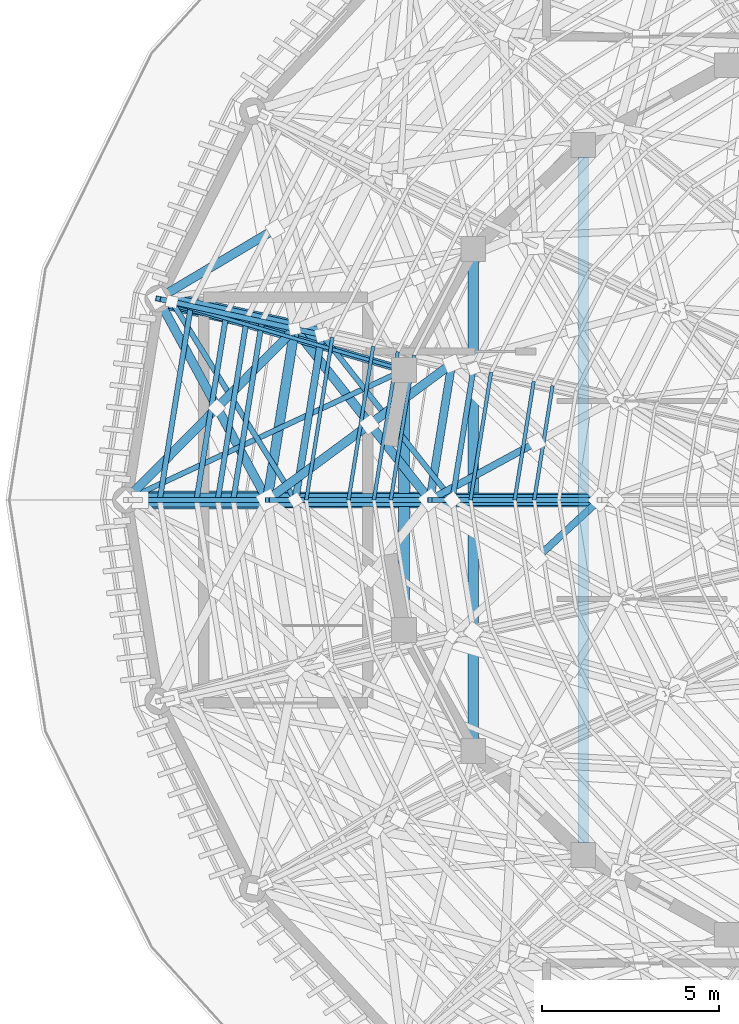
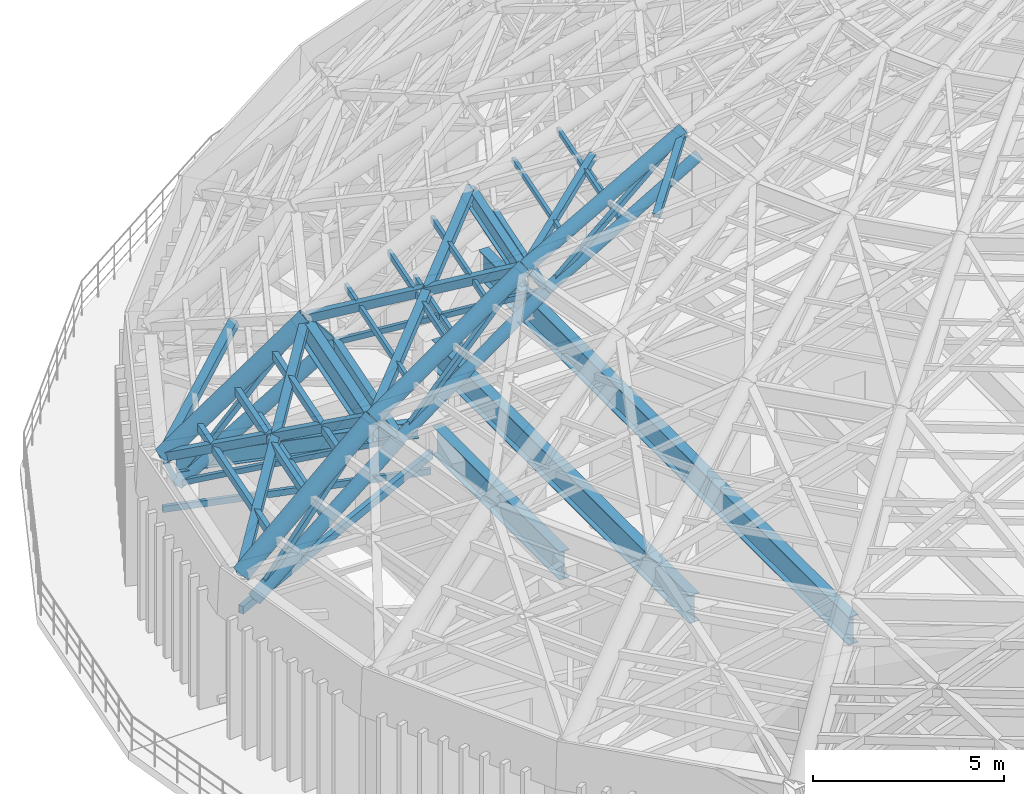
# One storey, part 7 of 50: 42 members, 6 beams.
"""IFC4 building model written with IfcOpenShell, lengths in metres."""

from ifc_helpers import new_model, si_unit, direction, frame, origin, origin_2d, place, context, subcontext, project, spatial, hollow_rectangle, hollow_circle, i_section, extrude, material, material_profile, profile_set, type_object, element, save


model = new_model("IFC4")

# Units and contexts
model_context = context("Model", 3, precision=1e-05, world=origin(), true_north=direction((0.0, 1.0)))
body_context = subcontext(model_context, "Body", "Model", "MODEL_VIEW")
ifc_project = project(units=[si_unit("LENGTHUNIT", "METRE"), si_unit("AREAUNIT", "SQUARE_METRE"), si_unit("VOLUMEUNIT", "CUBIC_METRE"), si_unit("PLANEANGLEUNIT", "RADIAN"), si_unit("MASSUNIT", "GRAM", prefix="KILO")], contexts=[model_context])

# Site, building, storey
site_placement = place(None, origin())
site = spatial("IfcSite", under=ifc_project, at=site_placement, CompositionType="ELEMENT")
building_placement = place(site_placement, origin())
building = spatial("IfcBuilding", under=site, at=building_placement, Name="Cinderbank Siding Concert Hall", CompositionType="ELEMENT")
storey_placement = place(building_placement, frame((0.0, 0.0, 23.699951171875)))
storey = spatial("IfcBuildingStorey", under=building, at=storey_placement, Name="L06", CompositionType="ELEMENT", Elevation=23.699951171875)

# Beams
ifc_material_1 = material(Name="Structural steel AS/NZS 3679.1 Grade 350 (340 MPa)", Category="steel")
ifc_material_profile_1 = material_profile(ifc_material_1, i_section(OverallWidth=0.208984375, OverallDepth=0.532958984375, WebThickness=0.01025390625, FlangeThickness=0.015625, at=origin_2d()), Name="530UB92.4", Category="LoadBearing")
ifc_profile_set_1 = profile_set([ifc_material_profile_1], Name="Structural steel AS/NZS 3679.1 Grade 350 (340 MPa)")
beam_type_1 = type_object("IfcBeamType", Name="BM-UB530H 530UB92.4", PredefinedType="BEAM", material=ifc_profile_set_1)
beam_1_placement = place(storey_placement, frame((102.739501953125, 47.7705078125, 4.235595703125), z_axis=(-0.960350422934, 0.278795740946, 0.0), x_axis=(-0.278795740946, -0.960350422934, 0.0)))
element("IfcBeam", 1, at=beam_1_placement, inside=storey, type_object=beam_type_1, Name="L06 Beam BM-UB530H #845", PredefinedType="BEAM", context=body_context, shape_type="SweptSolid", body=[
    extrude(i_section(OverallWidth=0.208984375, OverallDepth=0.532958984375, WebThickness=0.01025390625, FlangeThickness=0.015625, at=origin_2d()), origin(), (0.0, 0.0, 1.0), 6.53271484375),
])
ifc_material_profile_2 = material_profile(ifc_material_1, i_section(OverallWidth=0.22900390625, OverallDepth=0.611572265625, WebThickness=0.011962890625, FlangeThickness=0.01953125, at=origin_2d()), Name="610UB125", Category="LoadBearing")
ifc_profile_set_2 = profile_set([ifc_material_profile_2], Name="Structural steel AS/NZS 3679.1 Grade 350 (340 MPa)")
beam_type_2 = type_object("IfcBeamType", Name="BM-UB610H 610UB125", PredefinedType="BEAM", material=ifc_profile_set_2)
beam_2_placement = place(storey_placement, frame((104.420166015625, 47.8564453125, 10.994140625), z_axis=(-0.158760786177, -0.987317078133, 0.0), x_axis=(0.987317078133, -0.158760786177, 0.0)))
element("IfcBeam", 2, at=beam_2_placement, inside=storey, type_object=beam_type_2, Name="L06 Beam BM-UB610H #2063", PredefinedType="BEAM", context=body_context, shape_type="SweptSolid", body=[
    extrude(i_section(OverallWidth=0.22900390625, OverallDepth=0.611572265625, WebThickness=0.011962890625, FlangeThickness=0.01953125, at=origin_2d()), origin(), (0.0, 0.0, 1.0), 3.906005859375),
])
ifc_material_2 = material(Name="Structural steel welded plate section AS/NZS 3679.2 / AS/NZS 3678 Grade 350 (340 MPa)", Category="steel")
ifc_material_profile_3 = material_profile(ifc_material_2, i_section(OverallWidth=0.27490234375, OverallDepth=0.800048828125, WebThickness=0.010009765625, FlangeThickness=0.01611328125, at=origin_2d()), Name="800WB146", Category="LoadBearing")
ifc_profile_set_3 = profile_set([ifc_material_profile_3], Name="Structural steel welded plate section AS/NZS 3679.2 / AS/NZS 3678 Grade 350 (340 MPa)")
beam_type_3 = type_object("IfcBeamType", Name="BM-WB800 800WB146", PredefinedType="BEAM", material=ifc_profile_set_3)
beam_3_placement = place(storey_placement, frame((99.976806640625, 48.83984375, 7.699951171875), z_axis=(-0.158483883063, -0.987361564377, 0.0), x_axis=(0.987361564377, -0.158483883063, 0.0)))
element("IfcBeam", 3, at=beam_3_placement, inside=storey, type_object=beam_type_3, Name="L06 Beam BM-WB800 #2044", PredefinedType="BEAM", context=body_context, shape_type="SweptSolid", body=[
    extrude(i_section(OverallWidth=0.27490234375, OverallDepth=0.800048828125, WebThickness=0.010009765625, FlangeThickness=0.01611328125, at=origin_2d()), origin(), (0.0, 0.0, 1.0), 4.90185546875),
])
ifc_material_profile_4 = material_profile(ifc_material_2, i_section(OverallWidth=0.300048828125, OverallDepth=0.89990234375, WebThickness=0.013916015625, FlangeThickness=0.02490234375, at=origin_2d()), Name="900WB218", Category="LoadBearing")
ifc_profile_set_4 = profile_set([ifc_material_profile_4], Name="Structural steel welded plate section AS/NZS 3679.2 / AS/NZS 3678 Grade 350 (340 MPa)")
beam_type_4 = type_object("IfcBeamType", Name="BM-WB900 900WB218", PredefinedType="BEAM", material=ifc_profile_set_4)
beam_4_placement = place(storey_placement, frame((108.140625, 53.698974609375, 4.052001953125), z_axis=(0.0, -1.0, 0.0), x_axis=(1.0, 0.0, 0.0)))
element("IfcBeam", 4, at=beam_4_placement, inside=storey, type_object=beam_type_4, Name="L06 Beam BM-WB900 #127", PredefinedType="BEAM", context=body_context, shape_type="SweptSolid", body=[
    extrude(i_section(OverallWidth=0.300048828125, OverallDepth=0.89990234375, WebThickness=0.013916015625, FlangeThickness=0.02490234375, at=origin_2d()), origin(), (0.0, 0.0, 1.0), 19.39794921875),
])
beam_5_placement = place(storey_placement, frame((105.02587890625, 50.758056640625, 4.052001953125), z_axis=(0.0, -1.0, 0.0), x_axis=(1.0, 0.0, 0.0)))
element("IfcBeam", 5, at=beam_5_placement, inside=storey, type_object=beam_type_4, Name="L06 Beam BM-WB900 #128", PredefinedType="BEAM", context=body_context, shape_type="SweptSolid", body=[
    extrude(i_section(OverallWidth=0.300048828125, OverallDepth=0.89990234375, WebThickness=0.013916015625, FlangeThickness=0.02490234375, at=origin_2d()), origin(), (0.0, 0.0, 1.0), 13.51611328125),
])
beam_6_placement = place(storey_placement, frame((103.06787109375, 47.333251953125, 4.052001953125), z_axis=(0.0, -1.0, 0.0), x_axis=(1.0, 0.0, 0.0)))
element("IfcBeam", 6, at=beam_6_placement, inside=storey, type_object=beam_type_4, Name="L06 Beam BM-WB900 #129", PredefinedType="BEAM", context=body_context, shape_type="SweptSolid", body=[
    extrude(i_section(OverallWidth=0.300048828125, OverallDepth=0.89990234375, WebThickness=0.013916015625, FlangeThickness=0.02490234375, at=origin_2d()), origin(), (0.0, 0.0, 1.0), 6.66650390625),
])

# Members
ifc_material_3 = material(Name="Structural steel hollow section AS/NZS 1163 Grade C350L0 (350 MPa)", Category="steel")
ifc_material_profile_5 = material_profile(ifc_material_3, hollow_rectangle(XDim=0.14990234375, YDim=0.14990234375, WallThickness=0.008056640625, at=origin_2d()), Name="150x150x8.0SHS", Category="LoadBearing")
ifc_profile_set_5 = profile_set([ifc_material_profile_5], Name="Structural steel hollow section AS/NZS 1163 Grade C350L0 (350 MPa)")
member_type_1 = type_object("IfcMemberType", Name="BR-SHS150 150x150x8.0SHS Roof Truss", PredefinedType="BRACE", material=ifc_profile_set_5)
member_1_placement = place(storey_placement, frame((96.50146484375, 49.608642578125, 3.550048828125), z_axis=(0.60159806167, -0.133082704334, 0.787634919237), x_axis=(0.215993483707, 0.97639480488, 0.0)))
element("IfcMember", 7, at=member_1_placement, inside=storey, type_object=member_type_1, Name="L06 Diagonal Brace BR-SHS150 #DWBD-BR-SHS150-L06-0662", PredefinedType="BRACE", context=body_context, shape_type="SweptSolid", body=[
    extrude(hollow_rectangle(XDim=0.14990234375, YDim=0.14990234375, WallThickness=0.008056640625, at=origin_2d()), origin(), (0.0, 0.0, 1.0), 5.77685546875),
])
member_2_placement = place(storey_placement, frame((96.50146484375, 49.608642578125, 3.550048828125), z_axis=(-0.37696695298, 0.082980146882, 0.922502147198), x_axis=(-0.214978955029, -0.976618681418, 0.0)))
element("IfcMember", 8, at=member_2_placement, inside=storey, type_object=member_type_1, Name="L06 Diagonal Brace BR-SHS150 #DWBV-BR-SHS150-L06-0665", PredefinedType="BRACE", context=body_context, shape_type="SweptSolid", body=[
    extrude(hollow_rectangle(XDim=0.14990234375, YDim=0.14990234375, WallThickness=0.008056640625, at=origin_2d()), origin(), (0.0, 0.0, 1.0), 1.02978515625),
])
member_3_placement = place(storey_placement, frame((96.50146484375, 49.608642578125, 3.550048828125), z_axis=(0.464588082783, -0.745215893435, 0.478342121821), x_axis=(0.848597499507, 0.529039019194, 0.0)))
element("IfcMember", 9, at=member_3_placement, inside=storey, type_object=member_type_1, Name="L06 Diagonal Brace BR-SHS150 #DBRI-BR-SHS150-L06-0671", PredefinedType="BRACE", context=body_context, shape_type="SweptSolid", body=[
    extrude(hollow_rectangle(XDim=0.14990234375, YDim=0.14990234375, WallThickness=0.008056640625, at=origin_2d()), origin(), (0.0, 0.0, 1.0), 7.526123046875),
])
member_4_placement = place(storey_placement, frame((95.60205078125, 44.0, 3.550048828125), z_axis=(0.620255458481, 0.0, 0.784399876482), x_axis=(0.0, 1.0, 0.0)))
element("IfcMember", 10, at=member_4_placement, inside=storey, type_object=member_type_1, Name="L06 Diagonal Brace BR-SHS150 #DWBD-BR-SHS150-L06-0674", PredefinedType="BRACE", context=body_context, shape_type="SweptSolid", body=[
    extrude(hollow_rectangle(XDim=0.14990234375, YDim=0.14990234375, WallThickness=0.008056640625, at=origin_2d()), origin(), (0.0, 0.0, 1.0), 5.80078125),
])
member_5_placement = place(storey_placement, frame((100.747802734375, 48.67041015625, 7.150146484375), z_axis=(-0.624221843528, 0.137178581193, 0.769109307526), x_axis=(-0.214637578428, -0.976693764661, 0.0)))
element("IfcMember", 11, at=member_5_placement, inside=storey, type_object=member_type_1, Name="L06 Diagonal Brace BR-SHS150 #DWBV-BR-SHS150-L06-0953", PredefinedType="BRACE", context=body_context, shape_type="SweptSolid", body=[
    extrude(hollow_rectangle(XDim=0.14990234375, YDim=0.14990234375, WallThickness=0.008056640625, at=origin_2d()), origin(), (0.0, 0.0, 1.0), 1.235107421875),
])
member_6_placement = place(storey_placement, frame((100.747802734375, 48.67041015625, 7.150146484375), z_axis=(0.54594959992, -0.691153189496, 0.473546516191), x_axis=(0.784715786367, 0.619855736947, 0.0)))
element("IfcMember", 12, at=member_6_placement, inside=storey, type_object=member_type_1, Name="L06 Diagonal Brace BR-SHS150 #DBRI-BR-SHS150-L06-0959", PredefinedType="BRACE", context=body_context, shape_type="SweptSolid", body=[
    extrude(hollow_rectangle(XDim=0.14990234375, YDim=0.14990234375, WallThickness=0.008056640625, at=origin_2d()), origin(), (0.0, 0.0, 1.0), 6.75732421875),
])
member_7_placement = place(storey_placement, frame((99.998046875, 44.0, 7.150146484375), z_axis=(0.675524246705, 0.0, 0.737337773421), x_axis=(0.0, 1.0, 0.0)))
element("IfcMember", 13, at=member_7_placement, inside=storey, type_object=member_type_1, Name="L06 Diagonal Brace BR-SHS150 #DWBD-BR-SHS150-L06-0962", PredefinedType="BRACE", context=body_context, shape_type="SweptSolid", body=[
    extrude(hollow_rectangle(XDim=0.14990234375, YDim=0.14990234375, WallThickness=0.008056640625, at=origin_2d()), origin(), (0.0, 0.0, 1.0), 5.628173828125),
])
member_8_placement = place(storey_placement, frame((99.998046875, 44.0, 7.150146484375), z_axis=(-0.643256691231, 0.0, 0.765650592102), x_axis=(0.0, -1.0, 0.0)))
element("IfcMember", 14, at=member_8_placement, inside=storey, type_object=member_type_1, Name="L06 Diagonal Brace BR-SHS150 #DWBV-BR-SHS150-L06-0965", PredefinedType="BRACE", context=body_context, shape_type="SweptSolid", body=[
    extrude(hollow_rectangle(XDim=0.14990234375, YDim=0.14990234375, WallThickness=0.008056640625, at=origin_2d()), origin(), (0.0, 0.0, 1.0), 1.24072265625),
])
member_9_placement = place(storey_placement, frame((104.43701171875, 44.0, 10.35009765625), z_axis=(0.751931668238, 0.0, 0.659241053258), x_axis=(0.0, 1.0, 0.0)))
element("IfcMember", 15, at=member_9_placement, inside=storey, type_object=member_type_1, Name="L06 Diagonal Brace BR-SHS150 #DWBD-BR-SHS150-L06-1250", PredefinedType="BRACE", context=body_context, shape_type="SweptSolid", body=[
    extrude(hollow_rectangle(XDim=0.14990234375, YDim=0.14990234375, WallThickness=0.008056640625, at=origin_2d()), origin(), (0.0, 0.0, 1.0), 5.53662109375),
])
member_10_placement = place(storey_placement, frame((104.43701171875, 44.0, 10.35009765625), z_axis=(-0.556914918862, 0.0, 0.830569547448), x_axis=(0.0, -1.0, 0.0)))
element("IfcMember", 16, at=member_10_placement, inside=storey, type_object=member_type_1, Name="L06 Diagonal Brace BR-SHS150 #DWBV-BR-SHS150-L06-1253", PredefinedType="BRACE", context=body_context, shape_type="SweptSolid", body=[
    extrude(hollow_rectangle(XDim=0.14990234375, YDim=0.14990234375, WallThickness=0.008056640625, at=origin_2d()), origin(), (0.0, 0.0, 1.0), 1.143798828125),
])
ifc_material_profile_6 = material_profile(ifc_material_3, hollow_rectangle(XDim=0.199951171875, YDim=0.199951171875, WallThickness=0.009033203125, at=origin_2d()), Name="200x200x9.0SHS", Category="LoadBearing")
ifc_profile_set_6 = profile_set([ifc_material_profile_6], Name="Structural steel hollow section AS/NZS 1163 Grade C350L0 (350 MPa)")
member_type_2 = type_object("IfcMemberType", Name="BR-SHS200 200x200x9.0SHS Roof Truss", PredefinedType="BRACE", material=ifc_profile_set_6)
member_11_placement = place(storey_placement, frame((103.800048828125, 44.0, 11.300048828125), z_axis=(0.801362763042, 0.434030905698, 0.411624701529), x_axis=(-0.476248712502, 0.879310618519, 0.0)))
element("IfcMember", 17, at=member_11_placement, inside=storey, type_object=member_type_2, Name="L06 Diagonal Brace BR-SHS200 #DBRO-BR-SHS200-L06-1246", PredefinedType="BRACE", context=body_context, shape_type="SweptSolid", body=[
    extrude(hollow_rectangle(XDim=0.199951171875, YDim=0.199951171875, WallThickness=0.009033203125, at=origin_2d()), origin(), (0.0, 0.0, 1.0), 3.75927734375),
])
member_12_placement = place(storey_placement, frame((106.83447265625, 42.37109375, 12.859619140625), z_axis=(0.663973600551, 0.612559715552, 0.428846887192), x_axis=(-0.678077465712, 0.73499044245, 0.0)))
element("IfcMember", 18, at=member_12_placement, inside=storey, type_object=member_type_2, Name="L06 Diagonal Brace BR-SHS200 #DBRO-BR-SHS200-L06-1258-S117", PredefinedType="BRACE", context=body_context, shape_type="SweptSolid", body=[
    extrude(hollow_rectangle(XDim=0.199951171875, YDim=0.199951171875, WallThickness=0.009033203125, at=origin_2d()), origin(), (0.0, 0.0, 1.0), 2.6591796875),
])
ifc_material_profile_7 = material_profile(ifc_material_3, hollow_rectangle(XDim=0.25, YDim=0.25, WallThickness=0.010009765625, at=origin_2d()), Name="250x250x10.0SHS", Category="LoadBearing")
ifc_profile_set_7 = profile_set([ifc_material_profile_7], Name="Structural steel hollow section AS/NZS 1163 Grade C350L0 (350 MPa)")
member_type_3 = type_object("IfcMemberType", Name="BR-SHS250 250x250x10.0SHS Roof Truss", PredefinedType="BRACE", material=ifc_profile_set_7)
member_13_placement = place(storey_placement, frame((96.11328125, 49.694091796875, 4.5), z_axis=(0.76738971976, 0.456853774995, 0.44988625927), x_axis=(-0.511545188818, 0.859256376059, 0.0)))
element("IfcMember", 19, at=member_13_placement, inside=storey, type_object=member_type_3, Name="L06 Diagonal Brace BR-SHS250 #DBRO-BR-SHS250-L06-0658", PredefinedType="BRACE", context=body_context, shape_type="SweptSolid", body=[
    extrude(hollow_rectangle(XDim=0.25, YDim=0.25, WallThickness=0.010009765625, at=origin_2d()), origin(), (0.0, 0.0, 1.0), 4.309814453125),
])
member_14_placement = place(storey_placement, frame((96.11328125, 49.694091796875, 4.5), z_axis=(0.416543965106, -0.768413738683, 0.485830681757), x_axis=(0.879138665552, 0.47656605705, 0.0)))
element("IfcMember", 20, at=member_14_placement, inside=storey, type_object=member_type_3, Name="L06 Diagonal Brace BR-SHS250 #DBRO-BR-SHS250-L06-0669", PredefinedType="BRACE", context=body_context, shape_type="SweptSolid", body=[
    extrude(hollow_rectangle(XDim=0.25, YDim=0.25, WallThickness=0.010009765625, at=origin_2d()), origin(), (0.0, 0.0, 1.0), 7.41015625),
])
member_15_placement = place(storey_placement, frame((95.199951171875, 44.0, 4.5), z_axis=(0.62082489955, 0.629013802666, 0.467886824087), x_axis=(-0.711724445762, 0.702458762708, 0.0)))
element("IfcMember", 21, at=member_15_placement, inside=storey, type_object=member_type_3, Name="L06 Diagonal Brace BR-SHS250 #DBRO-BR-SHS250-L06-0670", PredefinedType="BRACE", context=body_context, shape_type="SweptSolid", body=[
    extrude(hollow_rectangle(XDim=0.25, YDim=0.25, WallThickness=0.010009765625, at=origin_2d()), origin(), (0.0, 0.0, 1.0), 4.14404296875),
])
member_16_placement = place(storey_placement, frame((97.791259765625, 46.62548828125, 6.452880859375), z_axis=(0.620821138626, 0.629004437817, 0.467904403743), x_axis=(-0.711721344563, 0.702461904799, 0.0)))
element("IfcMember", 22, at=member_16_placement, inside=storey, type_object=member_type_3, Name="L06 Diagonal Brace BR-SHS250 #DBRO-BR-SHS250-L06-0670-S68", PredefinedType="BRACE", context=body_context, shape_type="SweptSolid", body=[
    extrude(hollow_rectangle(XDim=0.25, YDim=0.25, WallThickness=0.010009765625, at=origin_2d()), origin(), (0.0, 0.0, 1.0), 3.5205078125),
])
member_17_placement = place(storey_placement, frame((99.976806640625, 48.83984375, 8.10009765625), z_axis=(0.550229511463, -0.696535749377, 0.460527343981), x_axis=(0.784700350908, 0.619875277201, 0.0)))
element("IfcMember", 23, at=member_17_placement, inside=storey, type_object=member_type_3, Name="L06 Diagonal Brace BR-SHS250 #DBRO-BR-SHS250-L06-0957", PredefinedType="BRACE", context=body_context, shape_type="SweptSolid", body=[
    extrude(hollow_rectangle(XDim=0.25, YDim=0.25, WallThickness=0.010009765625, at=origin_2d()), origin(), (0.0, 0.0, 1.0), 6.948486328125),
])
member_18_placement = place(storey_placement, frame((99.199951171875, 44.0, 8.10009765625), z_axis=(0.721372501211, 0.532966118239, 0.44223164892), x_axis=(-0.59423079707, 0.804294572787, 0.0)))
element("IfcMember", 24, at=member_18_placement, inside=storey, type_object=member_type_3, Name="L06 Diagonal Brace BR-SHS250 #DBRO-BR-SHS250-L06-0958", PredefinedType="BRACE", context=body_context, shape_type="SweptSolid", body=[
    extrude(hollow_rectangle(XDim=0.25, YDim=0.25, WallThickness=0.010009765625, at=origin_2d()), origin(), (0.0, 0.0, 1.0), 4.011962890625),
])
member_19_placement = place(storey_placement, frame((102.11572265625, 46.154052734375, 9.887451171875), z_axis=(0.721406640907, 0.532934474737, 0.442214093049), x_axis=(-0.594189781605, 0.804324874311, 0.0)))
element("IfcMember", 25, at=member_19_placement, inside=storey, type_object=member_type_3, Name="L06 Diagonal Brace BR-SHS250 #DBRO-BR-SHS250-L06-0958-S92", PredefinedType="BRACE", context=body_context, shape_type="SweptSolid", body=[
    extrude(hollow_rectangle(XDim=0.25, YDim=0.25, WallThickness=0.010009765625, at=origin_2d()), origin(), (0.0, 0.0, 1.0), 3.1943359375),
])
ifc_material_profile_8 = material_profile(ifc_material_3, hollow_circle(Radius=0.161865234375, WallThickness=0.0126953125, at=origin_2d()), Name="323.9x12.7CHS", Category="LoadBearing")
ifc_profile_set_8 = profile_set([ifc_material_profile_8], Name="Structural steel hollow section AS/NZS 1163 Grade C350L0 (350 MPa)")
member_type_4 = type_object("IfcMemberType", Name="DR-CHS323 323.9x12.7CHS Roof Truss", PredefinedType="RAFTER", material=ifc_profile_set_8)
member_20_placement = place(storey_placement, frame((104.43701171875, 44.0, 10.35009765625), z_axis=(0.863948961748, 0.0, 0.503579379538), x_axis=(0.0, 1.0, 0.0)))
element("IfcMember", 26, at=member_20_placement, inside=storey, type_object=member_type_4, Name="L06 Roof Truss Member DR-CHS323 #1249", PredefinedType="RAFTER", context=body_context, shape_type="SweptSolid", body=[
    extrude(hollow_circle(Radius=0.161865234375, WallThickness=0.0126953125, at=origin_2d()), origin(), (0.0, 0.0, 1.0), 5.361572265625),
])
ifc_material_profile_9 = material_profile(ifc_material_3, hollow_circle(Radius=0.177734375, WallThickness=0.0126953125, at=origin_2d()), Name="355.6x12.7CHS", Category="LoadBearing")
ifc_profile_set_9 = profile_set([ifc_material_profile_9], Name="Structural steel hollow section AS/NZS 1163 Grade C350L0 (350 MPa)")
member_type_5 = type_object("IfcMemberType", Name="DR-CHS355 355.6x12.7CHS Roof Truss", PredefinedType="RAFTER", material=ifc_profile_set_9)
member_21_placement = place(storey_placement, frame((99.998046875, 44.0, 7.150146484375), z_axis=(0.811196558381, 0.0, 0.584773583253), x_axis=(0.0, 1.0, 0.0)))
element("IfcMember", 27, at=member_21_placement, inside=storey, type_object=member_type_5, Name="L06 Roof Truss Member DR-CHS355 #961", PredefinedType="RAFTER", context=body_context, shape_type="SweptSolid", body=[
    extrude(hollow_circle(Radius=0.177734375, WallThickness=0.0126953125, at=origin_2d()), origin(), (0.0, 0.0, 1.0), 5.47216796875),
])
ifc_material_profile_10 = material_profile(ifc_material_3, hollow_circle(Radius=0.203125, WallThickness=0.01611328125, at=origin_2d()), Name="406.4x16.0CHS", Category="LoadBearing")
ifc_profile_set_10 = profile_set([ifc_material_profile_10], Name="Structural steel hollow section AS/NZS 1163 Grade C350L0 (350 MPa)")
member_type_6 = type_object("IfcMemberType", Name="DR-CHS406 406.4x16.0CHS Roof Truss", PredefinedType="RAFTER", material=ifc_profile_set_10)
member_22_placement = place(storey_placement, frame((96.50146484375, 49.608642578125, 3.550048828125), z_axis=(0.752155055134, -0.166189379456, 0.637686336055), x_axis=(0.215747388225, 0.97644921244, 0.0)))
element("IfcMember", 28, at=member_22_placement, inside=storey, type_object=member_type_6, Name="L06 Roof Truss Member DR-CHS406 #661", PredefinedType="RAFTER", context=body_context, shape_type="SweptSolid", body=[
    extrude(hollow_circle(Radius=0.203125, WallThickness=0.01611328125, at=origin_2d()), origin(), (0.0, 0.0, 1.0), 5.6455078125),
])
member_23_placement = place(storey_placement, frame((95.60205078125, 44.0, 3.550048828125), z_axis=(0.77366623214, 0.0, 0.633593372161), x_axis=(0.0, 1.0, 0.0)))
element("IfcMember", 29, at=member_23_placement, inside=storey, type_object=member_type_6, Name="L06 Roof Truss Member DR-CHS406 #673", PredefinedType="RAFTER", context=body_context, shape_type="SweptSolid", body=[
    extrude(hollow_circle(Radius=0.203125, WallThickness=0.01611328125, at=origin_2d()), origin(), (0.0, 0.0, 1.0), 5.68212890625),
])
member_24_placement = place(storey_placement, frame((103.800048828125, 44.0, 11.300048828125), z_axis=(0.871581456561, 0.0, 0.490250716042), x_axis=(0.0, 1.0, 0.0)))
element("IfcMember", 30, at=member_24_placement, inside=storey, type_object=member_type_6, Name="L06 Roof Truss Member DR-CHS406 #1248", PredefinedType="RAFTER", context=body_context, shape_type="SweptSolid", body=[
    extrude(hollow_circle(Radius=0.203125, WallThickness=0.01611328125, at=origin_2d()), origin(), (0.0, 0.0, 1.0), 5.50732421875),
])
ifc_material_profile_11 = material_profile(ifc_material_3, hollow_circle(Radius=0.228515625, WallThickness=0.01611328125, at=origin_2d()), Name="457.0x16.0CHS", Category="LoadBearing")
ifc_profile_set_11 = profile_set([ifc_material_profile_11], Name="Structural steel hollow section AS/NZS 1163 Grade C350L0 (350 MPa)")
member_type_7 = type_object("IfcMemberType", Name="DR-CHS457 457.0x16.0CHS Roof Truss", PredefinedType="RAFTER", material=ifc_profile_set_11)
member_25_placement = place(storey_placement, frame((99.199951171875, 44.0, 8.10009765625), z_axis=(0.820914969857, 0.0, 0.571050446339), x_axis=(0.0, 1.0, 0.0)))
element("IfcMember", 31, at=member_25_placement, inside=storey, type_object=member_type_7, Name="L06 Roof Truss Member DR-CHS457 #960", PredefinedType="RAFTER", context=body_context, shape_type="SweptSolid", body=[
    extrude(hollow_circle(Radius=0.228515625, WallThickness=0.01611328125, at=origin_2d()), origin(), (0.0, 0.0, 1.0), 5.603515625),
])
ifc_material_profile_12 = material_profile(ifc_material_3, hollow_circle(Radius=0.25390625, WallThickness=0.01611328125, at=origin_2d()), Name="508.0x16.0CHS", Category="LoadBearing")
ifc_profile_set_12 = profile_set([ifc_material_profile_12], Name="Structural steel hollow section AS/NZS 1163 Grade C350L0 (350 MPa)")
member_type_8 = type_object("IfcMemberType", Name="DR-CHS508 508.0x16.0CHS Roof Truss", PredefinedType="RAFTER", material=ifc_profile_set_12)
member_26_placement = place(storey_placement, frame((96.11328125, 49.694091796875, 4.5), z_axis=(0.722220248444, -0.15968711844, 0.672976921552), x_axis=(0.215891581568, 0.976417341616, 0.0)))
element("IfcMember", 32, at=member_26_placement, inside=storey, type_object=member_type_8, Name="L06 Roof Truss Member DR-CHS508 #660", PredefinedType="RAFTER", context=body_context, shape_type="SweptSolid", body=[
    extrude(hollow_circle(Radius=0.25390625, WallThickness=0.01611328125, at=origin_2d()), origin(), (0.0, 0.0, 1.0), 5.349609375),
])
member_27_placement = place(storey_placement, frame((95.199951171875, 44.0, 4.5), z_axis=(0.743285123004, 0.0, 0.668974757313), x_axis=(0.0, 1.0, 0.0)))
element("IfcMember", 33, at=member_27_placement, inside=storey, type_object=member_type_8, Name="L06 Roof Truss Member DR-CHS508 #672", PredefinedType="RAFTER", context=body_context, shape_type="SweptSolid", body=[
    extrude(hollow_circle(Radius=0.25390625, WallThickness=0.01611328125, at=origin_2d()), origin(), (0.0, 0.0, 1.0), 5.381591796875),
])
ifc_material_profile_13 = material_profile(ifc_material_3, hollow_rectangle(XDim=0.10009765625, YDim=0.14990234375, WallThickness=0.006103515625, at=origin_2d()), Name="150x100x6.0RHS", Category="LoadBearing")
ifc_profile_set_13 = profile_set([ifc_material_profile_13], Name="Structural steel hollow section AS/NZS 1163 Grade C350L0 (350 MPa)")
member_type_9 = type_object("IfcMemberType", Name="PR-RHS150 150x100x6.0RHS Roof Truss", PredefinedType="PURLIN", material=ifc_profile_set_13)
member_28_placement = place(storey_placement, frame((107.2724609375, 47.234375, 11.699951171875), z_axis=(-0.158595064833, -0.987343711891, 0.0), x_axis=(0.987343711891, -0.158595064833, 0.0)))
element("IfcMember", 34, at=member_28_placement, inside=storey, type_object=member_type_9, Name="L06 Roof Truss Member PR-RHS150 #1240", PredefinedType="PURLIN", context=body_context, shape_type="SweptSolid", body=[
    extrude(hollow_rectangle(XDim=0.10009765625, YDim=0.14990234375, WallThickness=0.006103515625, at=origin_2d()), origin(), (0.0, 0.0, 1.0), 3.27587890625),
])
member_29_placement = place(storey_placement, frame((105.532958984375, 47.614013671875, 11.947998046875), z_axis=(-0.158739629939, -0.987320479827, 0.0), x_axis=(0.987320479827, -0.158739629939, 0.0)))
element("IfcMember", 35, at=member_29_placement, inside=storey, type_object=member_type_9, Name="L06 Roof Truss Member PR-RHS150 #1242", PredefinedType="PURLIN", context=body_context, shape_type="SweptSolid", body=[
    extrude(hollow_rectangle(XDim=0.10009765625, YDim=0.14990234375, WallThickness=0.006103515625, at=origin_2d()), origin(), (0.0, 0.0, 1.0), 3.660400390625),
])
member_30_placement = place(storey_placement, frame((106.73828125, 47.351806640625, 12.650146484375), z_axis=(-0.158576691094, -0.987346663053, 0.0), x_axis=(0.987346663053, -0.158576691094, 0.0)))
element("IfcMember", 36, at=member_30_placement, inside=storey, type_object=member_type_9, Name="L06 Roof Truss Member PR-RHS150 #1243", PredefinedType="PURLIN", context=body_context, shape_type="SweptSolid", body=[
    extrude(hollow_rectangle(XDim=0.10009765625, YDim=0.14990234375, WallThickness=0.006103515625, at=origin_2d()), origin(), (0.0, 0.0, 1.0), 3.394775390625),
])
ifc_material_profile_14 = material_profile(ifc_material_3, hollow_rectangle(XDim=0.10009765625, YDim=0.199951171875, WallThickness=0.008056640625, at=origin_2d()), Name="200x100x8.0RHS", Category="LoadBearing")
ifc_profile_set_14 = profile_set([ifc_material_profile_14], Name="Structural steel hollow section AS/NZS 1163 Grade C350L0 (350 MPa)")
member_type_10 = type_object("IfcMemberType", Name="PR-RHS200 200x100x8.0RHS Roof Truss", PredefinedType="PURLIN", material=ifc_profile_set_14)
member_31_placement = place(storey_placement, frame((102.8916015625, 48.19580078125, 8.75), z_axis=(-0.15862009127, -0.987339691619, 0.0), x_axis=(0.987339691619, -0.15862009127, 0.0)))
element("IfcMember", 37, at=member_31_placement, inside=storey, type_object=member_type_10, Name="L06 Roof Truss Member PR-RHS200 #952", PredefinedType="PURLIN", context=body_context, shape_type="SweptSolid", body=[
    extrude(hollow_rectangle(XDim=0.10009765625, YDim=0.199951171875, WallThickness=0.008056640625, at=origin_2d()), origin(), (0.0, 0.0, 1.0), 4.24951171875),
])
member_32_placement = place(storey_placement, frame((101.043212890625, 48.60400390625, 8.8681640625), z_axis=(-0.158537736653, -0.987352918696, 0.0), x_axis=(0.987352918696, -0.158537736653, 0.0)))
element("IfcMember", 38, at=member_32_placement, inside=storey, type_object=member_type_10, Name="L06 Roof Truss Member PR-RHS200 #954", PredefinedType="PURLIN", context=body_context, shape_type="SweptSolid", body=[
    extrude(hollow_rectangle(XDim=0.10009765625, YDim=0.199951171875, WallThickness=0.008056640625, at=origin_2d()), origin(), (0.0, 0.0, 1.0), 4.6630859375),
])
member_33_placement = place(storey_placement, frame((102.198486328125, 48.34814453125, 9.699951171875), z_axis=(-0.158606682786, -0.987341845652, 0.0), x_axis=(0.987341845652, -0.158606682786, 0.0)))
element("IfcMember", 39, at=member_33_placement, inside=storey, type_object=member_type_10, Name="L06 Roof Truss Member PR-RHS200 #955", PredefinedType="PURLIN", context=body_context, shape_type="SweptSolid", body=[
    extrude(hollow_rectangle(XDim=0.10009765625, YDim=0.199951171875, WallThickness=0.008056640625, at=origin_2d()), origin(), (0.0, 0.0, 1.0), 4.40380859375),
])
member_34_placement = place(storey_placement, frame((103.353759765625, 48.09228515625, 10.531982421875), z_axis=(-0.158684247496, -0.987329382525, 0.0), x_axis=(0.987329382525, -0.158684247496, 0.0)))
element("IfcMember", 40, at=member_34_placement, inside=storey, type_object=member_type_10, Name="L06 Roof Truss Member PR-RHS200 #956", PredefinedType="PURLIN", context=body_context, shape_type="SweptSolid", body=[
    extrude(hollow_rectangle(XDim=0.10009765625, YDim=0.199951171875, WallThickness=0.008056640625, at=origin_2d()), origin(), (0.0, 0.0, 1.0), 4.144775390625),
])
member_35_placement = place(storey_placement, frame((103.06787109375, 47.67529296875, 2.81005859375), z_axis=(-0.960356417746, 0.278775090161, 0.0), x_axis=(-0.278775090161, -0.960356417746, 0.0)))
element("IfcMember", 41, at=member_35_placement, inside=storey, type_object=member_type_10, Name="L06 Roof Truss Member PR-RHS200 #2350", PredefinedType="PURLIN", context=body_context, shape_type="SweptSolid", body=[
    extrude(hollow_rectangle(XDim=0.10009765625, YDim=0.199951171875, WallThickness=0.008056640625, at=origin_2d()), origin(), (0.0, 0.0, 1.0), 7.24169921875),
])
ifc_material_profile_15 = material_profile(ifc_material_3, hollow_rectangle(XDim=0.14990234375, YDim=0.25, WallThickness=0.009033203125, at=origin_2d()), Name="250x150x9.0RHS", Category="LoadBearing")
ifc_profile_set_15 = profile_set([ifc_material_profile_15], Name="Structural steel hollow section AS/NZS 1163 Grade C350L0 (350 MPa)")
member_type_11 = type_object("IfcMemberType", Name="PR-RHS250 250x150x9.0RHS Roof Truss", PredefinedType="PURLIN", material=ifc_profile_set_15)
member_36_placement = place(storey_placement, frame((98.62451171875, 49.139404296875, 5.35009765625), z_axis=(-0.158394769514, -0.987375864092, 0.0), x_axis=(0.987375864092, -0.158394769514, 0.0)))
element("IfcMember", 42, at=member_36_placement, inside=storey, type_object=member_type_11, Name="L06 Roof Truss Member PR-RHS250 #664", PredefinedType="PURLIN", context=body_context, shape_type="SweptSolid", body=[
    extrude(hollow_rectangle(XDim=0.14990234375, YDim=0.25, WallThickness=0.009033203125, at=origin_2d()), origin(), (0.0, 0.0, 1.0), 5.205078125),
])
member_37_placement = place(storey_placement, frame((97.04052734375, 49.489013671875, 5.364013671875), z_axis=(-0.158406700088, -0.987373950116, 0.0), x_axis=(0.987373950116, -0.158406700088, 0.0)))
element("IfcMember", 43, at=member_37_placement, inside=storey, type_object=member_type_11, Name="L06 Roof Truss Member PR-RHS250 #666", PredefinedType="PURLIN", context=body_context, shape_type="SweptSolid", body=[
    extrude(hollow_rectangle(XDim=0.14990234375, YDim=0.25, WallThickness=0.009033203125, at=origin_2d()), origin(), (0.0, 0.0, 1.0), 5.559326171875),
])
member_38_placement = place(storey_placement, frame((98.045166015625, 49.26708984375, 6.300048828125), z_axis=(-0.158443866233, -0.987367986747, 0.0), x_axis=(0.987367986747, -0.158443866233, 0.0)))
element("IfcMember", 44, at=member_38_placement, inside=storey, type_object=member_type_11, Name="L06 Roof Truss Member PR-RHS250 #667", PredefinedType="PURLIN", context=body_context, shape_type="SweptSolid", body=[
    extrude(hollow_rectangle(XDim=0.14990234375, YDim=0.25, WallThickness=0.009033203125, at=origin_2d()), origin(), (0.0, 0.0, 1.0), 5.33447265625),
])
member_39_placement = place(storey_placement, frame((99.049560546875, 49.044921875, 7.236083984375), z_axis=(-0.158445196298, -0.98736777331, 0.0), x_axis=(0.98736777331, -0.158445196298, 0.0)))
element("IfcMember", 45, at=member_39_placement, inside=storey, type_object=member_type_11, Name="L06 Roof Truss Member PR-RHS250 #668", PredefinedType="PURLIN", context=body_context, shape_type="SweptSolid", body=[
    extrude(hollow_rectangle(XDim=0.14990234375, YDim=0.25, WallThickness=0.009033203125, at=origin_2d()), origin(), (0.0, 0.0, 1.0), 5.109375),
])
member_40_placement = place(storey_placement, frame((105.035400390625, 47.721435546875, 10.35009765625), z_axis=(-0.158755893638, -0.987317864841, 0.0), x_axis=(0.987317864841, -0.158755893638, 0.0)))
element("IfcMember", 46, at=member_40_placement, inside=storey, type_object=member_type_11, Name="L06 Roof Truss Member PR-RHS250 #951", PredefinedType="PURLIN", context=body_context, shape_type="SweptSolid", body=[
    extrude(hollow_rectangle(XDim=0.14990234375, YDim=0.25, WallThickness=0.009033203125, at=origin_2d()), origin(), (0.0, 0.0, 1.0), 3.769287109375),
])
ifc_material_profile_16 = material_profile(ifc_material_3, hollow_rectangle(XDim=0.199951171875, YDim=0.300048828125, WallThickness=0.010009765625, at=origin_2d()), Name="300x200x10.0RHS", Category="LoadBearing")
ifc_profile_set_16 = profile_set([ifc_material_profile_16], Name="Structural steel hollow section AS/NZS 1163 Grade C350L0 (350 MPa)")
member_type_12 = type_object("IfcMemberType", Name="PR-RHS300 300x200x10.0RHS Roof Truss", PredefinedType="PURLIN", material=ifc_profile_set_16)
member_41_placement = place(storey_placement, frame((100.747802734375, 48.67041015625, 7.150146484375), z_axis=(-0.158503792449, -0.987358368466, 0.0), x_axis=(0.987358368466, -0.158503792449, 0.0)))
element("IfcMember", 47, at=member_41_placement, inside=storey, type_object=member_type_12, Name="L06 Roof Truss Member PR-RHS300 #663", PredefinedType="PURLIN", context=body_context, shape_type="SweptSolid", body=[
    extrude(hollow_rectangle(XDim=0.199951171875, YDim=0.300048828125, WallThickness=0.010009765625, at=origin_2d()), origin(), (0.0, 0.0, 1.0), 4.730224609375),
])
ifc_material_profile_17 = material_profile(ifc_material_3, hollow_rectangle(XDim=0.14990234375, YDim=0.25, WallThickness=0.009033203125, at=origin_2d()), Name="250x150x9.0RHS", Category="LoadBearing")
ifc_profile_set_17 = profile_set([ifc_material_profile_17], Name="Structural steel hollow section AS/NZS 1163 Grade C350L0 (350 MPa)")
member_type_13 = type_object("IfcMemberType", Name="TR-RHS250 250x150x9.0RHS Roof Truss", PredefinedType="RAFTER", material=ifc_profile_set_17)
member_42_placement = place(storey_placement, frame((103.06787109375, 47.67529296875, 3.35009765625), z_axis=(-0.906024345896, -0.423225571822, 0.0), x_axis=(0.423225571822, -0.906024345896, 0.0)))
element("IfcMember", 48, at=member_42_placement, inside=storey, type_object=member_type_13, Name="L06 Roof Truss Member TR-RHS250 #2349", PredefinedType="RAFTER", context=body_context, shape_type="SweptSolid", body=[
    extrude(hollow_rectangle(XDim=0.14990234375, YDim=0.25, WallThickness=0.009033203125, at=origin_2d()), origin(), (0.0, 0.0, 1.0), 8.68408203125),
])

save(model, "model.ifc")
